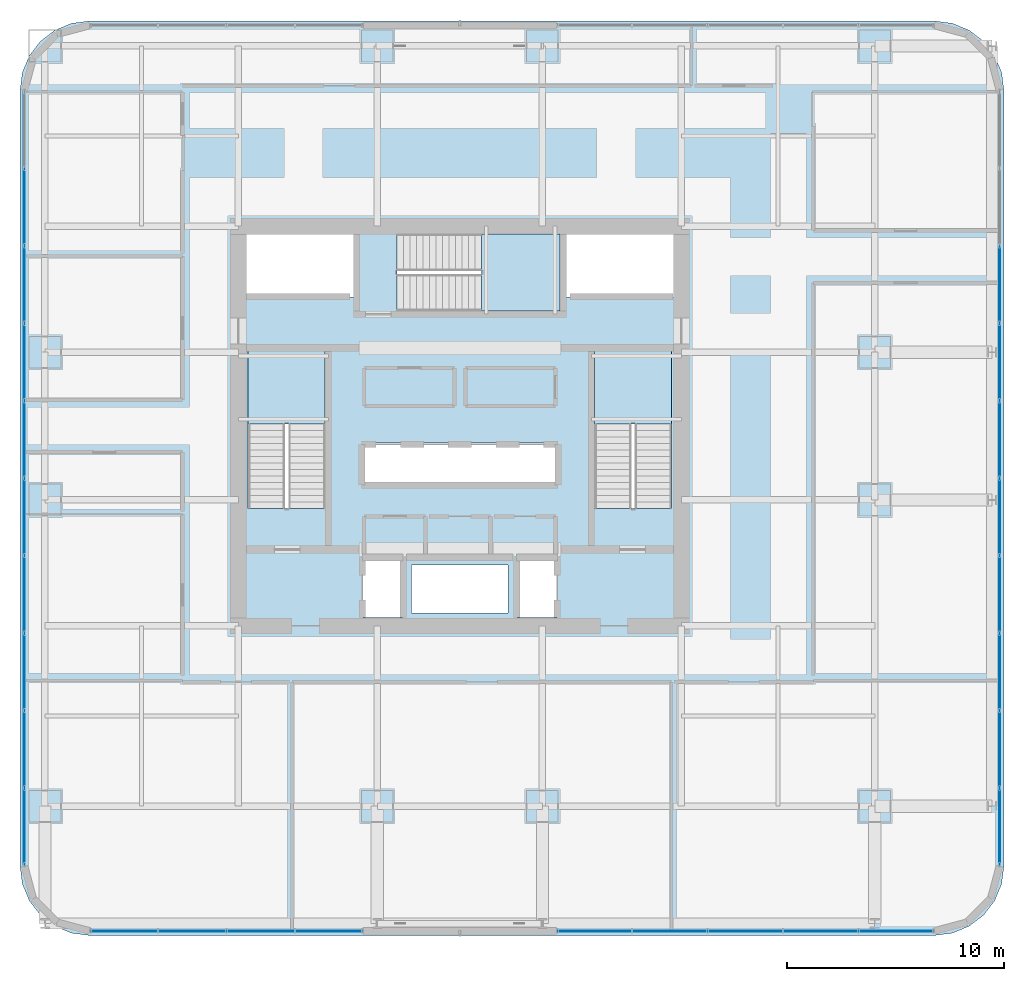
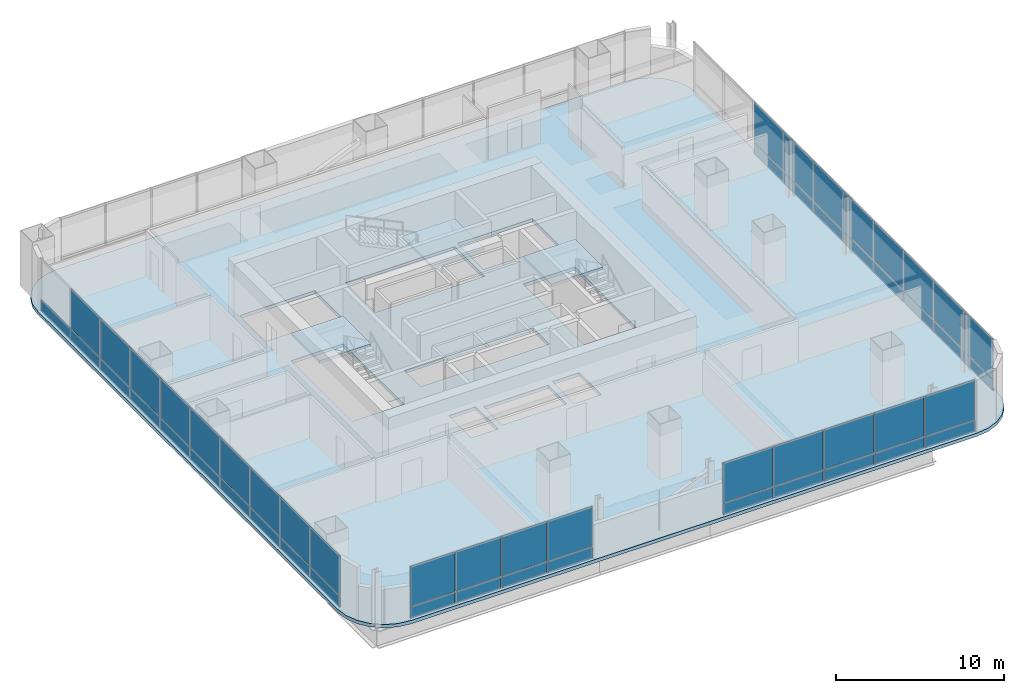
# One storey, part 25 of 40: 53 plates, 4 slabs, 7 elements without a shape of their own.
"""IFC4 building model written with IfcOpenShell, lengths in metres."""

from ifc_helpers import new_model, si_unit, direction, frame, origin, origin_2d, place, context, subcontext, project, spatial, polyline, rectangle, outline, extrude, material, layer, layer_set, type_object, element, aggregate, save


model = new_model("IFC4")

# Units and contexts
model_context = context("Model", 3, precision=1e-05, world=origin(), true_north=direction((0.0, 1.0)))
body_context = subcontext(model_context, "Body", "Model", "MODEL_VIEW")
ifc_project = project(units=[si_unit("LENGTHUNIT", "METRE"), si_unit("AREAUNIT", "SQUARE_METRE"), si_unit("VOLUMEUNIT", "CUBIC_METRE"), si_unit("PLANEANGLEUNIT", "RADIAN"), si_unit("MASSUNIT", "GRAM", prefix="KILO")], contexts=[model_context])

# Site, building, storey
site_placement = place(None, origin())
site = spatial("IfcSite", under=ifc_project, at=site_placement, CompositionType="ELEMENT")
building_placement = place(site_placement, origin())
building = spatial("IfcBuilding", under=site, at=building_placement, Name="Punatoya Terracotta Tower", CompositionType="ELEMENT")
storey_placement = place(building_placement, frame((0.0, 0.0, 76.800048828125)))
storey = spatial("IfcBuildingStorey", under=building, at=storey_placement, Name="L17", CompositionType="ELEMENT", Elevation=76.800048828125)

# Curtain wall, plates
ifc_material_1 = material(Name="Aluminium 6063-T6 + Double Low-E Glass", Category="aluminium")
curtain_wall_type = type_object("IfcCurtainWallType", Name="CW-M1", PredefinedType="NOTDEFINED", material=ifc_material_1)
curtain_wall_1_placement = place(storey_placement, origin())
curtain_wall_1 = element("IfcCurtainWall", 1, at=curtain_wall_1_placement, inside=storey, type_object=curtain_wall_type, Name="L17 Curtain Wall CW-L17-S01-1", PredefinedType="NOTDEFINED")
ifc_material_2 = material(Name="Double Low-E Clear Vision Glass", Category="glass")
ifc_layer_1 = layer(ifc_material_2, 0.028076171875)
ifc_layer_set_1 = layer_set([ifc_layer_1], Name="Double Low-E Clear Vision Glass")
plate_type_1 = type_object("IfcPlateType", Name="PLT-GLZ-28", PredefinedType="CURTAIN_PANEL", material=ifc_layer_set_1)
plate_1_placement = place(storey_placement, frame((-15.46337890625, -23.25, 0.889892578125), z_axis=(0.0, 0.0, 1.0), x_axis=(1.0, 0.0, 0.0)))
plate_1 = element("IfcPlate", 2, at=plate_1_placement, type_object=plate_type_1, Name="CW-L17-S01-1 Vision Glass Panel 1", PredefinedType="CURTAIN_PANEL", context=body_context, shape_type="SweptSolid", body=[
    extrude(rectangle(XDim=3.061767578125, YDim=0.028076171875, at=origin_2d()), origin(), (0.0, 0.0, 1.0), 2.8798828125),
])
plate_2_placement = place(storey_placement, frame((-12.31689453125, -23.25, 0.889892578125), z_axis=(0.0, 0.0, 1.0), x_axis=(1.0, 0.0, 0.0)))
plate_2 = element("IfcPlate", 3, at=plate_2_placement, type_object=plate_type_1, Name="CW-L17-S01-1 Vision Glass Panel 2", PredefinedType="CURTAIN_PANEL", context=body_context, shape_type="SweptSolid", body=[
    extrude(rectangle(XDim=3.061767578125, YDim=0.028076171875, at=origin_2d()), origin(), (0.0, 0.0, 1.0), 2.8798828125),
])
plate_3_placement = place(storey_placement, frame((-9.170166015625, -23.25, 0.889892578125), z_axis=(0.0, 0.0, 1.0), x_axis=(1.0, 0.0, 0.0)))
plate_3 = element("IfcPlate", 4, at=plate_3_placement, type_object=plate_type_1, Name="CW-L17-S01-1 Vision Glass Panel 3", PredefinedType="CURTAIN_PANEL", context=body_context, shape_type="SweptSolid", body=[
    extrude(rectangle(XDim=3.061767578125, YDim=0.028076171875, at=origin_2d()), origin(), (0.0, 0.0, 1.0), 2.8798828125),
])
plate_4_placement = place(storey_placement, frame((-6.0234375, -23.25, 0.889892578125), z_axis=(0.0, 0.0, 1.0), x_axis=(1.0, 0.0, 0.0)))
plate_4 = element("IfcPlate", 5, at=plate_4_placement, type_object=plate_type_1, Name="CW-L17-S01-1 Vision Glass Panel 4", PredefinedType="CURTAIN_PANEL", context=body_context, shape_type="SweptSolid", body=[
    extrude(rectangle(XDim=3.061767578125, YDim=0.028076171875, at=origin_2d()), origin(), (0.0, 0.0, 1.0), 2.8798828125),
])

curtain_wall_2_placement = place(storey_placement, origin())
curtain_wall_2 = element("IfcCurtainWall", 6, at=curtain_wall_2_placement, inside=storey, type_object=curtain_wall_type, Name="L17 Curtain Wall CW-L17-S01-2", PredefinedType="NOTDEFINED")
plate_5_placement = place(storey_placement, frame((6.188720703125, -23.25, 0.889892578125), z_axis=(0.0, 0.0, 1.0), x_axis=(1.0, 0.0, 0.0)))
plate_5 = element("IfcPlate", 7, at=plate_5_placement, type_object=plate_type_1, Name="CW-L17-S01-2 Vision Glass Panel 1", PredefinedType="CURTAIN_PANEL", context=body_context, shape_type="SweptSolid", body=[
    extrude(rectangle(XDim=3.392333984375, YDim=0.028076171875, at=origin_2d()), origin(), (0.0, 0.0, 1.0), 2.8798828125),
])
plate_6_placement = place(storey_placement, frame((9.666015625, -23.25, 0.889892578125), z_axis=(0.0, 0.0, 1.0), x_axis=(1.0, 0.0, 0.0)))
plate_6 = element("IfcPlate", 8, at=plate_6_placement, type_object=plate_type_1, Name="CW-L17-S01-2 Vision Glass Panel 2", PredefinedType="CURTAIN_PANEL", context=body_context, shape_type="SweptSolid", body=[
    extrude(rectangle(XDim=3.392333984375, YDim=0.028076171875, at=origin_2d()), origin(), (0.0, 0.0, 1.0), 2.8798828125),
])
plate_7_placement = place(storey_placement, frame((13.1435546875, -23.25, 0.889892578125), z_axis=(0.0, 0.0, 1.0), x_axis=(1.0, 0.0, 0.0)))
plate_7 = element("IfcPlate", 9, at=plate_7_placement, type_object=plate_type_1, Name="CW-L17-S01-2 Vision Glass Panel 3", PredefinedType="CURTAIN_PANEL", context=body_context, shape_type="SweptSolid", body=[
    extrude(rectangle(XDim=3.392333984375, YDim=0.028076171875, at=origin_2d()), origin(), (0.0, 0.0, 1.0), 2.8798828125),
])
plate_8_placement = place(storey_placement, frame((16.620849609375, -23.25, 0.889892578125), z_axis=(0.0, 0.0, 1.0), x_axis=(1.0, 0.0, 0.0)))
plate_8 = element("IfcPlate", 10, at=plate_8_placement, type_object=plate_type_1, Name="CW-L17-S01-2 Vision Glass Panel 4", PredefinedType="CURTAIN_PANEL", context=body_context, shape_type="SweptSolid", body=[
    extrude(rectangle(XDim=3.392333984375, YDim=0.028076171875, at=origin_2d()), origin(), (0.0, 0.0, 1.0), 2.8798828125),
])
plate_9_placement = place(storey_placement, frame((20.09814453125, -23.25, 0.889892578125), z_axis=(0.0, 0.0, 1.0), x_axis=(1.0, 0.0, 0.0)))
plate_9 = element("IfcPlate", 11, at=plate_9_placement, type_object=plate_type_1, Name="CW-L17-S01-2 Vision Glass Panel 5", PredefinedType="CURTAIN_PANEL", context=body_context, shape_type="SweptSolid", body=[
    extrude(rectangle(XDim=3.392333984375, YDim=0.028076171875, at=origin_2d()), origin(), (0.0, 0.0, 1.0), 2.8798828125),
])

curtain_wall_3_placement = place(storey_placement, origin())
curtain_wall_3 = element("IfcCurtainWall", 12, at=curtain_wall_3_placement, inside=storey, type_object=curtain_wall_type, Name="L17 Curtain Wall CW-L17-E05-1", PredefinedType="NOTDEFINED")
plate_10_placement = place(storey_placement, frame((24.85009765625, -18.453125, 0.889892578125), z_axis=(0.0, 0.0, 1.0), x_axis=(0.0, 1.0, 0.0)))
plate_10 = element("IfcPlate", 13, at=plate_10_placement, type_object=plate_type_1, Name="CW-L17-E05-1 Vision Glass Panel 1", PredefinedType="CURTAIN_PANEL", context=body_context, shape_type="SweptSolid", body=[
    extrude(rectangle(XDim=3.482421875, YDim=0.028076171875, at=origin_2d()), origin(), (0.0, 0.0, 1.0), 2.8798828125),
])
plate_11_placement = place(storey_placement, frame((24.85009765625, -14.8857421875, 0.889892578125), z_axis=(0.0, 0.0, 1.0), x_axis=(0.0, 1.0, 0.0)))
plate_11 = element("IfcPlate", 14, at=plate_11_placement, type_object=plate_type_1, Name="CW-L17-E05-1 Vision Glass Panel 2", PredefinedType="CURTAIN_PANEL", context=body_context, shape_type="SweptSolid", body=[
    extrude(rectangle(XDim=3.482421875, YDim=0.028076171875, at=origin_2d()), origin(), (0.0, 0.0, 1.0), 2.8798828125),
])
plate_12_placement = place(storey_placement, frame((24.85009765625, -11.318359375, 0.889892578125), z_axis=(0.0, 0.0, 1.0), x_axis=(0.0, 1.0, 0.0)))
plate_12 = element("IfcPlate", 15, at=plate_12_placement, type_object=plate_type_1, Name="CW-L17-E05-1 Vision Glass Panel 3", PredefinedType="CURTAIN_PANEL", context=body_context, shape_type="SweptSolid", body=[
    extrude(rectangle(XDim=3.482421875, YDim=0.028076171875, at=origin_2d()), origin(), (0.0, 0.0, 1.0), 2.8798828125),
])
plate_13_placement = place(storey_placement, frame((24.85009765625, -7.751220703125, 0.889892578125), z_axis=(0.0, 0.0, 1.0), x_axis=(0.0, 1.0, 0.0)))
plate_13 = element("IfcPlate", 16, at=plate_13_placement, type_object=plate_type_1, Name="CW-L17-E05-1 Vision Glass Panel 4", PredefinedType="CURTAIN_PANEL", context=body_context, shape_type="SweptSolid", body=[
    extrude(rectangle(XDim=3.482421875, YDim=0.028076171875, at=origin_2d()), origin(), (0.0, 0.0, 1.0), 2.8798828125),
])
plate_14_placement = place(storey_placement, frame((24.85009765625, -4.18359375, 0.889892578125), z_axis=(0.0, 0.0, 1.0), x_axis=(0.0, 1.0, 0.0)))
plate_14 = element("IfcPlate", 17, at=plate_14_placement, type_object=plate_type_1, Name="CW-L17-E05-1 Vision Glass Panel 5", PredefinedType="CURTAIN_PANEL", context=body_context, shape_type="SweptSolid", body=[
    extrude(rectangle(XDim=3.482421875, YDim=0.028076171875, at=origin_2d()), origin(), (0.0, 0.0, 1.0), 2.8798828125),
])
plate_15_placement = place(storey_placement, frame((24.85009765625, -0.6162109375, 0.889892578125), z_axis=(0.0, 0.0, 1.0), x_axis=(0.0, 1.0, 0.0)))
plate_15 = element("IfcPlate", 18, at=plate_15_placement, type_object=plate_type_1, Name="CW-L17-E05-1 Vision Glass Panel 6", PredefinedType="CURTAIN_PANEL", context=body_context, shape_type="SweptSolid", body=[
    extrude(rectangle(XDim=3.482421875, YDim=0.028076171875, at=origin_2d()), origin(), (0.0, 0.0, 1.0), 2.8798828125),
])
plate_16_placement = place(storey_placement, frame((24.85009765625, 2.951171875, 0.889892578125), z_axis=(0.0, 0.0, 1.0), x_axis=(0.0, 1.0, 0.0)))
plate_16 = element("IfcPlate", 19, at=plate_16_placement, type_object=plate_type_1, Name="CW-L17-E05-1 Vision Glass Panel 7", PredefinedType="CURTAIN_PANEL", context=body_context, shape_type="SweptSolid", body=[
    extrude(rectangle(XDim=3.482421875, YDim=0.028076171875, at=origin_2d()), origin(), (0.0, 0.0, 1.0), 2.8798828125),
])
plate_17_placement = place(storey_placement, frame((24.85009765625, 6.518310546875, 0.889892578125), z_axis=(0.0, 0.0, 1.0), x_axis=(0.0, 1.0, 0.0)))
plate_17 = element("IfcPlate", 20, at=plate_17_placement, type_object=plate_type_1, Name="CW-L17-E05-1 Vision Glass Panel 8", PredefinedType="CURTAIN_PANEL", context=body_context, shape_type="SweptSolid", body=[
    extrude(rectangle(XDim=3.482421875, YDim=0.028076171875, at=origin_2d()), origin(), (0.0, 0.0, 1.0), 2.8798828125),
])

curtain_wall_4_placement = place(storey_placement, origin())
curtain_wall_4 = element("IfcCurtainWall", 21, at=curtain_wall_4_placement, inside=storey, type_object=curtain_wall_type, Name="L17 Curtain Wall CW-L17-W13-1", PredefinedType="NOTDEFINED")
plate_18_placement = place(storey_placement, frame((-20.050048828125, 10.085693359375, 0.889892578125), z_axis=(0.0, 0.0, 1.0), x_axis=(0.0, -1.0, 0.0)))
plate_18 = element("IfcPlate", 22, at=plate_18_placement, type_object=plate_type_1, Name="CW-L17-W13-1 Vision Glass Panel 2", PredefinedType="CURTAIN_PANEL", context=body_context, shape_type="SweptSolid", body=[
    extrude(rectangle(XDim=3.482421875, YDim=0.028076171875, at=origin_2d()), origin(), (0.0, 0.0, 1.0), 2.8798828125),
])
plate_19_placement = place(storey_placement, frame((-20.050048828125, 6.518310546875, 0.889892578125), z_axis=(0.0, 0.0, 1.0), x_axis=(0.0, -1.0, 0.0)))
plate_19 = element("IfcPlate", 23, at=plate_19_placement, type_object=plate_type_1, Name="CW-L17-W13-1 Vision Glass Panel 3", PredefinedType="CURTAIN_PANEL", context=body_context, shape_type="SweptSolid", body=[
    extrude(rectangle(XDim=3.482421875, YDim=0.028076171875, at=origin_2d()), origin(), (0.0, 0.0, 1.0), 2.8798828125),
])
plate_20_placement = place(storey_placement, frame((-20.050048828125, 2.951171875, 0.889892578125), z_axis=(0.0, 0.0, 1.0), x_axis=(0.0, -1.0, 0.0)))
plate_20 = element("IfcPlate", 24, at=plate_20_placement, type_object=plate_type_1, Name="CW-L17-W13-1 Vision Glass Panel 4", PredefinedType="CURTAIN_PANEL", context=body_context, shape_type="SweptSolid", body=[
    extrude(rectangle(XDim=3.482421875, YDim=0.028076171875, at=origin_2d()), origin(), (0.0, 0.0, 1.0), 2.8798828125),
])
plate_21_placement = place(storey_placement, frame((-20.050048828125, -0.6162109375, 0.889892578125), z_axis=(0.0, 0.0, 1.0), x_axis=(0.0, -1.0, 0.0)))
plate_21 = element("IfcPlate", 25, at=plate_21_placement, type_object=plate_type_1, Name="CW-L17-W13-1 Vision Glass Panel 5", PredefinedType="CURTAIN_PANEL", context=body_context, shape_type="SweptSolid", body=[
    extrude(rectangle(XDim=3.482421875, YDim=0.028076171875, at=origin_2d()), origin(), (0.0, 0.0, 1.0), 2.8798828125),
])
plate_22_placement = place(storey_placement, frame((-20.050048828125, -4.18359375, 0.889892578125), z_axis=(0.0, 0.0, 1.0), x_axis=(0.0, -1.0, 0.0)))
plate_22 = element("IfcPlate", 26, at=plate_22_placement, type_object=plate_type_1, Name="CW-L17-W13-1 Vision Glass Panel 6", PredefinedType="CURTAIN_PANEL", context=body_context, shape_type="SweptSolid", body=[
    extrude(rectangle(XDim=3.482421875, YDim=0.028076171875, at=origin_2d()), origin(), (0.0, 0.0, 1.0), 2.8798828125),
])
plate_23_placement = place(storey_placement, frame((-20.050048828125, -7.751220703125, 0.889892578125), z_axis=(0.0, 0.0, 1.0), x_axis=(0.0, -1.0, 0.0)))
plate_23 = element("IfcPlate", 27, at=plate_23_placement, type_object=plate_type_1, Name="CW-L17-W13-1 Vision Glass Panel 7", PredefinedType="CURTAIN_PANEL", context=body_context, shape_type="SweptSolid", body=[
    extrude(rectangle(XDim=3.482421875, YDim=0.028076171875, at=origin_2d()), origin(), (0.0, 0.0, 1.0), 2.8798828125),
])
plate_24_placement = place(storey_placement, frame((-20.050048828125, -11.318359375, 0.889892578125), z_axis=(0.0, 0.0, 1.0), x_axis=(0.0, -1.0, 0.0)))
plate_24 = element("IfcPlate", 28, at=plate_24_placement, type_object=plate_type_1, Name="CW-L17-W13-1 Vision Glass Panel 8", PredefinedType="CURTAIN_PANEL", context=body_context, shape_type="SweptSolid", body=[
    extrude(rectangle(XDim=3.482421875, YDim=0.028076171875, at=origin_2d()), origin(), (0.0, 0.0, 1.0), 2.8798828125),
])
plate_25_placement = place(storey_placement, frame((-20.050048828125, -14.8857421875, 0.889892578125), z_axis=(0.0, 0.0, 1.0), x_axis=(0.0, -1.0, 0.0)))
plate_25 = element("IfcPlate", 29, at=plate_25_placement, type_object=plate_type_1, Name="CW-L17-W13-1 Vision Glass Panel 9", PredefinedType="CURTAIN_PANEL", context=body_context, shape_type="SweptSolid", body=[
    extrude(rectangle(XDim=3.482421875, YDim=0.028076171875, at=origin_2d()), origin(), (0.0, 0.0, 1.0), 2.8798828125),
])
plate_26_placement = place(storey_placement, frame((-20.050048828125, -18.453125, 0.889892578125), z_axis=(0.0, 0.0, 1.0), x_axis=(0.0, -1.0, 0.0)))
plate_26 = element("IfcPlate", 30, at=plate_26_placement, type_object=plate_type_1, Name="CW-L17-W13-1 Vision Glass Panel 10", PredefinedType="CURTAIN_PANEL", context=body_context, shape_type="SweptSolid", body=[
    extrude(rectangle(XDim=3.482421875, YDim=0.028076171875, at=origin_2d()), origin(), (0.0, 0.0, 1.0), 2.8798828125),
])

# Plate
ifc_material_3 = material(Name="Insulated Terracotta-Backed Spandrel Panel", Category="masonry")
ifc_layer_2 = layer(ifc_material_3, 0.044921875)
ifc_layer_set_2 = layer_set([ifc_layer_2], Name="Insulated Terracotta-Backed Spandrel Panel")
plate_type_2 = type_object("IfcPlateType", Name="PLT-SPN-45", PredefinedType="CURTAIN_PANEL", material=ifc_layer_set_2)
plate_27_placement = place(storey_placement, frame((-15.46337890625, -23.25, 0.0400390625), z_axis=(0.0, 0.0, 1.0), x_axis=(1.0, 0.0, 0.0)))
plate_27 = element("IfcPlate", 31, at=plate_27_placement, type_object=plate_type_2, Name="CW-L17-S01-1 Terracotta Spandrel Panel 1", PredefinedType="CURTAIN_PANEL", context=body_context, shape_type="SweptSolid", body=[
    extrude(rectangle(XDim=3.061767578125, YDim=0.044921875, at=origin_2d()), origin(), (0.0, 0.0, 1.0), 0.77490234375),
])

plate_28_placement = place(storey_placement, frame((-12.31689453125, -23.25, 0.0400390625), z_axis=(0.0, 0.0, 1.0), x_axis=(1.0, 0.0, 0.0)))
plate_28 = element("IfcPlate", 32, at=plate_28_placement, type_object=plate_type_2, Name="CW-L17-S01-1 Terracotta Spandrel Panel 2", PredefinedType="CURTAIN_PANEL", context=body_context, shape_type="SweptSolid", body=[
    extrude(rectangle(XDim=3.061767578125, YDim=0.044921875, at=origin_2d()), origin(), (0.0, 0.0, 1.0), 0.77490234375),
])

plate_29_placement = place(storey_placement, frame((-9.170166015625, -23.25, 0.0400390625), z_axis=(0.0, 0.0, 1.0), x_axis=(1.0, 0.0, 0.0)))
plate_29 = element("IfcPlate", 33, at=plate_29_placement, type_object=plate_type_2, Name="CW-L17-S01-1 Terracotta Spandrel Panel 3", PredefinedType="CURTAIN_PANEL", context=body_context, shape_type="SweptSolid", body=[
    extrude(rectangle(XDim=3.061767578125, YDim=0.044921875, at=origin_2d()), origin(), (0.0, 0.0, 1.0), 0.77490234375),
])

plate_30_placement = place(storey_placement, frame((-6.0234375, -23.25, 0.0400390625), z_axis=(0.0, 0.0, 1.0), x_axis=(1.0, 0.0, 0.0)))
plate_30 = element("IfcPlate", 34, at=plate_30_placement, type_object=plate_type_2, Name="CW-L17-S01-1 Terracotta Spandrel Panel 4", PredefinedType="CURTAIN_PANEL", context=body_context, shape_type="SweptSolid", body=[
    extrude(rectangle(XDim=3.061767578125, YDim=0.044921875, at=origin_2d()), origin(), (0.0, 0.0, 1.0), 0.77490234375),
])

aggregate(curtain_wall_1, [plate_27, plate_1, plate_28, plate_2, plate_29, plate_3, plate_30, plate_4])

plate_31_placement = place(storey_placement, frame((6.188720703125, -23.25, 0.0400390625), z_axis=(0.0, 0.0, 1.0), x_axis=(1.0, 0.0, 0.0)))
plate_31 = element("IfcPlate", 35, at=plate_31_placement, type_object=plate_type_2, Name="CW-L17-S01-2 Terracotta Spandrel Panel 1", PredefinedType="CURTAIN_PANEL", context=body_context, shape_type="SweptSolid", body=[
    extrude(rectangle(XDim=3.392333984375, YDim=0.044921875, at=origin_2d()), origin(), (0.0, 0.0, 1.0), 0.77490234375),
])

plate_32_placement = place(storey_placement, frame((9.666015625, -23.25, 0.0400390625), z_axis=(0.0, 0.0, 1.0), x_axis=(1.0, 0.0, 0.0)))
plate_32 = element("IfcPlate", 36, at=plate_32_placement, type_object=plate_type_2, Name="CW-L17-S01-2 Terracotta Spandrel Panel 2", PredefinedType="CURTAIN_PANEL", context=body_context, shape_type="SweptSolid", body=[
    extrude(rectangle(XDim=3.392333984375, YDim=0.044921875, at=origin_2d()), origin(), (0.0, 0.0, 1.0), 0.77490234375),
])

plate_33_placement = place(storey_placement, frame((13.1435546875, -23.25, 0.0400390625), z_axis=(0.0, 0.0, 1.0), x_axis=(1.0, 0.0, 0.0)))
plate_33 = element("IfcPlate", 37, at=plate_33_placement, type_object=plate_type_2, Name="CW-L17-S01-2 Terracotta Spandrel Panel 3", PredefinedType="CURTAIN_PANEL", context=body_context, shape_type="SweptSolid", body=[
    extrude(rectangle(XDim=3.392333984375, YDim=0.044921875, at=origin_2d()), origin(), (0.0, 0.0, 1.0), 0.77490234375),
])

plate_34_placement = place(storey_placement, frame((16.620849609375, -23.25, 0.0400390625), z_axis=(0.0, 0.0, 1.0), x_axis=(1.0, 0.0, 0.0)))
plate_34 = element("IfcPlate", 38, at=plate_34_placement, type_object=plate_type_2, Name="CW-L17-S01-2 Terracotta Spandrel Panel 4", PredefinedType="CURTAIN_PANEL", context=body_context, shape_type="SweptSolid", body=[
    extrude(rectangle(XDim=3.392333984375, YDim=0.044921875, at=origin_2d()), origin(), (0.0, 0.0, 1.0), 0.77490234375),
])

plate_35_placement = place(storey_placement, frame((20.09814453125, -23.25, 0.0400390625), z_axis=(0.0, 0.0, 1.0), x_axis=(1.0, 0.0, 0.0)))
plate_35 = element("IfcPlate", 39, at=plate_35_placement, type_object=plate_type_2, Name="CW-L17-S01-2 Terracotta Spandrel Panel 5", PredefinedType="CURTAIN_PANEL", context=body_context, shape_type="SweptSolid", body=[
    extrude(rectangle(XDim=3.392333984375, YDim=0.044921875, at=origin_2d()), origin(), (0.0, 0.0, 1.0), 0.77490234375),
])

aggregate(curtain_wall_2, [plate_31, plate_5, plate_32, plate_6, plate_33, plate_7, plate_34, plate_8, plate_35, plate_9])

plate_36_placement = place(storey_placement, frame((24.85009765625, -18.453125, 0.0400390625), z_axis=(0.0, 0.0, 1.0), x_axis=(0.0, 1.0, 0.0)))
plate_36 = element("IfcPlate", 40, at=plate_36_placement, type_object=plate_type_2, Name="CW-L17-E05-1 Terracotta Spandrel Panel 1", PredefinedType="CURTAIN_PANEL", context=body_context, shape_type="SweptSolid", body=[
    extrude(rectangle(XDim=3.482421875, YDim=0.044921875, at=origin_2d()), origin(), (0.0, 0.0, 1.0), 0.77490234375),
])

plate_37_placement = place(storey_placement, frame((24.85009765625, -14.8857421875, 0.0400390625), z_axis=(0.0, 0.0, 1.0), x_axis=(0.0, 1.0, 0.0)))
plate_37 = element("IfcPlate", 41, at=plate_37_placement, type_object=plate_type_2, Name="CW-L17-E05-1 Terracotta Spandrel Panel 2", PredefinedType="CURTAIN_PANEL", context=body_context, shape_type="SweptSolid", body=[
    extrude(rectangle(XDim=3.482421875, YDim=0.044921875, at=origin_2d()), origin(), (0.0, 0.0, 1.0), 0.77490234375),
])

plate_38_placement = place(storey_placement, frame((24.85009765625, -11.318359375, 0.0400390625), z_axis=(0.0, 0.0, 1.0), x_axis=(0.0, 1.0, 0.0)))
plate_38 = element("IfcPlate", 42, at=plate_38_placement, type_object=plate_type_2, Name="CW-L17-E05-1 Terracotta Spandrel Panel 3", PredefinedType="CURTAIN_PANEL", context=body_context, shape_type="SweptSolid", body=[
    extrude(rectangle(XDim=3.482421875, YDim=0.044921875, at=origin_2d()), origin(), (0.0, 0.0, 1.0), 0.77490234375),
])

plate_39_placement = place(storey_placement, frame((24.85009765625, -7.751220703125, 0.0400390625), z_axis=(0.0, 0.0, 1.0), x_axis=(0.0, 1.0, 0.0)))
plate_39 = element("IfcPlate", 43, at=plate_39_placement, type_object=plate_type_2, Name="CW-L17-E05-1 Terracotta Spandrel Panel 4", PredefinedType="CURTAIN_PANEL", context=body_context, shape_type="SweptSolid", body=[
    extrude(rectangle(XDim=3.482421875, YDim=0.044921875, at=origin_2d()), origin(), (0.0, 0.0, 1.0), 0.77490234375),
])

plate_40_placement = place(storey_placement, frame((24.85009765625, -4.18359375, 0.0400390625), z_axis=(0.0, 0.0, 1.0), x_axis=(0.0, 1.0, 0.0)))
plate_40 = element("IfcPlate", 44, at=plate_40_placement, type_object=plate_type_2, Name="CW-L17-E05-1 Terracotta Spandrel Panel 5", PredefinedType="CURTAIN_PANEL", context=body_context, shape_type="SweptSolid", body=[
    extrude(rectangle(XDim=3.482421875, YDim=0.044921875, at=origin_2d()), origin(), (0.0, 0.0, 1.0), 0.77490234375),
])

plate_41_placement = place(storey_placement, frame((24.85009765625, -0.6162109375, 0.0400390625), z_axis=(0.0, 0.0, 1.0), x_axis=(0.0, 1.0, 0.0)))
plate_41 = element("IfcPlate", 45, at=plate_41_placement, type_object=plate_type_2, Name="CW-L17-E05-1 Terracotta Spandrel Panel 6", PredefinedType="CURTAIN_PANEL", context=body_context, shape_type="SweptSolid", body=[
    extrude(rectangle(XDim=3.482421875, YDim=0.044921875, at=origin_2d()), origin(), (0.0, 0.0, 1.0), 0.77490234375),
])

plate_42_placement = place(storey_placement, frame((24.85009765625, 2.951171875, 0.0400390625), z_axis=(0.0, 0.0, 1.0), x_axis=(0.0, 1.0, 0.0)))
plate_42 = element("IfcPlate", 46, at=plate_42_placement, type_object=plate_type_2, Name="CW-L17-E05-1 Terracotta Spandrel Panel 7", PredefinedType="CURTAIN_PANEL", context=body_context, shape_type="SweptSolid", body=[
    extrude(rectangle(XDim=3.482421875, YDim=0.044921875, at=origin_2d()), origin(), (0.0, 0.0, 1.0), 0.77490234375),
])

plate_43_placement = place(storey_placement, frame((24.85009765625, 6.518310546875, 0.0400390625), z_axis=(0.0, 0.0, 1.0), x_axis=(0.0, 1.0, 0.0)))
plate_43 = element("IfcPlate", 47, at=plate_43_placement, type_object=plate_type_2, Name="CW-L17-E05-1 Terracotta Spandrel Panel 8", PredefinedType="CURTAIN_PANEL", context=body_context, shape_type="SweptSolid", body=[
    extrude(rectangle(XDim=3.482421875, YDim=0.044921875, at=origin_2d()), origin(), (0.0, 0.0, 1.0), 0.77490234375),
])

aggregate(curtain_wall_3, [plate_36, plate_10, plate_37, plate_11, plate_38, plate_12, plate_39, plate_13, plate_40, plate_14, plate_41, plate_15, plate_42, plate_16, plate_43, plate_17])

plate_44_placement = place(storey_placement, frame((-20.050048828125, 13.6533203125, 0.0400390625), z_axis=(0.0, 0.0, 1.0), x_axis=(0.0, -1.0, 0.0)))
plate_44 = element("IfcPlate", 48, at=plate_44_placement, type_object=plate_type_2, Name="CW-L17-W13-1 Terracotta Spandrel Panel 1", PredefinedType="CURTAIN_PANEL", context=body_context, shape_type="SweptSolid", body=[
    extrude(rectangle(XDim=3.482421875, YDim=0.044921875, at=origin_2d()), origin(), (0.0, 0.0, 1.0), 0.77490234375),
])

plate_45_placement = place(storey_placement, frame((-20.050048828125, 10.085693359375, 0.0400390625), z_axis=(0.0, 0.0, 1.0), x_axis=(0.0, -1.0, 0.0)))
plate_45 = element("IfcPlate", 49, at=plate_45_placement, type_object=plate_type_2, Name="CW-L17-W13-1 Terracotta Spandrel Panel 2", PredefinedType="CURTAIN_PANEL", context=body_context, shape_type="SweptSolid", body=[
    extrude(rectangle(XDim=3.482421875, YDim=0.044921875, at=origin_2d()), origin(), (0.0, 0.0, 1.0), 0.77490234375),
])

plate_46_placement = place(storey_placement, frame((-20.050048828125, 6.518310546875, 0.0400390625), z_axis=(0.0, 0.0, 1.0), x_axis=(0.0, -1.0, 0.0)))
plate_46 = element("IfcPlate", 50, at=plate_46_placement, type_object=plate_type_2, Name="CW-L17-W13-1 Terracotta Spandrel Panel 3", PredefinedType="CURTAIN_PANEL", context=body_context, shape_type="SweptSolid", body=[
    extrude(rectangle(XDim=3.482421875, YDim=0.044921875, at=origin_2d()), origin(), (0.0, 0.0, 1.0), 0.77490234375),
])

plate_47_placement = place(storey_placement, frame((-20.050048828125, 2.951171875, 0.0400390625), z_axis=(0.0, 0.0, 1.0), x_axis=(0.0, -1.0, 0.0)))
plate_47 = element("IfcPlate", 51, at=plate_47_placement, type_object=plate_type_2, Name="CW-L17-W13-1 Terracotta Spandrel Panel 4", PredefinedType="CURTAIN_PANEL", context=body_context, shape_type="SweptSolid", body=[
    extrude(rectangle(XDim=3.482421875, YDim=0.044921875, at=origin_2d()), origin(), (0.0, 0.0, 1.0), 0.77490234375),
])

plate_48_placement = place(storey_placement, frame((-20.050048828125, -0.6162109375, 0.0400390625), z_axis=(0.0, 0.0, 1.0), x_axis=(0.0, -1.0, 0.0)))
plate_48 = element("IfcPlate", 52, at=plate_48_placement, type_object=plate_type_2, Name="CW-L17-W13-1 Terracotta Spandrel Panel 5", PredefinedType="CURTAIN_PANEL", context=body_context, shape_type="SweptSolid", body=[
    extrude(rectangle(XDim=3.482421875, YDim=0.044921875, at=origin_2d()), origin(), (0.0, 0.0, 1.0), 0.77490234375),
])

plate_49_placement = place(storey_placement, frame((-20.050048828125, -4.18359375, 0.0400390625), z_axis=(0.0, 0.0, 1.0), x_axis=(0.0, -1.0, 0.0)))
plate_49 = element("IfcPlate", 53, at=plate_49_placement, type_object=plate_type_2, Name="CW-L17-W13-1 Terracotta Spandrel Panel 6", PredefinedType="CURTAIN_PANEL", context=body_context, shape_type="SweptSolid", body=[
    extrude(rectangle(XDim=3.482421875, YDim=0.044921875, at=origin_2d()), origin(), (0.0, 0.0, 1.0), 0.77490234375),
])

plate_50_placement = place(storey_placement, frame((-20.050048828125, -7.751220703125, 0.0400390625), z_axis=(0.0, 0.0, 1.0), x_axis=(0.0, -1.0, 0.0)))
plate_50 = element("IfcPlate", 54, at=plate_50_placement, type_object=plate_type_2, Name="CW-L17-W13-1 Terracotta Spandrel Panel 7", PredefinedType="CURTAIN_PANEL", context=body_context, shape_type="SweptSolid", body=[
    extrude(rectangle(XDim=3.482421875, YDim=0.044921875, at=origin_2d()), origin(), (0.0, 0.0, 1.0), 0.77490234375),
])

plate_51_placement = place(storey_placement, frame((-20.050048828125, -11.318359375, 0.0400390625), z_axis=(0.0, 0.0, 1.0), x_axis=(0.0, -1.0, 0.0)))
plate_51 = element("IfcPlate", 55, at=plate_51_placement, type_object=plate_type_2, Name="CW-L17-W13-1 Terracotta Spandrel Panel 8", PredefinedType="CURTAIN_PANEL", context=body_context, shape_type="SweptSolid", body=[
    extrude(rectangle(XDim=3.482421875, YDim=0.044921875, at=origin_2d()), origin(), (0.0, 0.0, 1.0), 0.77490234375),
])

plate_52_placement = place(storey_placement, frame((-20.050048828125, -14.8857421875, 0.0400390625), z_axis=(0.0, 0.0, 1.0), x_axis=(0.0, -1.0, 0.0)))
plate_52 = element("IfcPlate", 56, at=plate_52_placement, type_object=plate_type_2, Name="CW-L17-W13-1 Terracotta Spandrel Panel 9", PredefinedType="CURTAIN_PANEL", context=body_context, shape_type="SweptSolid", body=[
    extrude(rectangle(XDim=3.482421875, YDim=0.044921875, at=origin_2d()), origin(), (0.0, 0.0, 1.0), 0.77490234375),
])

plate_53_placement = place(storey_placement, frame((-20.050048828125, -18.453125, 0.0400390625), z_axis=(0.0, 0.0, 1.0), x_axis=(0.0, -1.0, 0.0)))
plate_53 = element("IfcPlate", 57, at=plate_53_placement, type_object=plate_type_2, Name="CW-L17-W13-1 Terracotta Spandrel Panel 10", PredefinedType="CURTAIN_PANEL", context=body_context, shape_type="SweptSolid", body=[
    extrude(rectangle(XDim=3.482421875, YDim=0.044921875, at=origin_2d()), origin(), (0.0, 0.0, 1.0), 0.77490234375),
])

aggregate(curtain_wall_4, [plate_44, plate_45, plate_18, plate_46, plate_19, plate_47, plate_20, plate_48, plate_21, plate_49, plate_22, plate_50, plate_23, plate_51, plate_24, plate_52, plate_25, plate_53, plate_26])

# Stair, slab
ifc_material_4 = material(Name="Concrete C40/50", Category="concrete")
stair_type_1 = type_object("IfcStairType", Name="STR-TER-1450", PredefinedType="HALF_TURN_STAIR", material=ifc_material_4)
stair_1_placement = place(storey_placement, origin())
stair_1 = element("IfcStair", 58, at=stair_1_placement, inside=storey, type_object=stair_type_1, Name="L17 Protected Core Exit Stair ST-3", PredefinedType="HALF_TURN_STAIR")
ifc_layer_3 = layer(ifc_material_4, 0.1650390625)
ifc_layer_set_3 = layer_set([ifc_layer_3], Name="Concrete C40/50")
slab_type_1 = type_object("IfcSlabType", Name="SLB-LND-165", PredefinedType="LANDING", material=ifc_layer_set_3)
slab_1_placement = place(storey_placement, frame((0.0, 0.0, 1.824951171875)))
slab_1 = element("IfcSlab", 59, at=slab_1_placement, type_object=slab_type_1, Name="ST-3 landing 1", PredefinedType="LANDING", context=body_context, shape_type="SweptSolid", body=[
    extrude(outline(polyline([(1.0, 5.300048828125), (4.60009765625, 5.300048828125), (4.60009765625, 8.85009765625), (1.0, 8.85009765625), (1.0, 5.300048828125)])), origin(), (0.0, 0.0, 1.0), 0.199951171875),
])
aggregate(stair_1, [slab_1])

stair_type_2 = type_object("IfcStairType", Name="STR-CORE-1550", PredefinedType="HALF_TURN_STAIR", material=ifc_material_4)
stair_2_placement = place(storey_placement, origin())
stair_2 = element("IfcStair", 60, at=stair_2_placement, inside=storey, type_object=stair_type_2, Name="L17 Protected Core Exit Stair ST-1", PredefinedType="HALF_TURN_STAIR")
ifc_layer_4 = layer(ifc_material_4, 0.179931640625)
ifc_layer_set_4 = layer_set([ifc_layer_4], Name="Concrete C40/50")
slab_type_2 = type_object("IfcSlabType", Name="SLB-LND-180", PredefinedType="LANDING", material=ifc_layer_set_4)
slab_2_placement = place(storey_placement, frame((0.0, 0.0, 1.824951171875)))
slab_2 = element("IfcSlab", 61, at=slab_2_placement, type_object=slab_type_2, Name="ST-1 landing 1", PredefinedType="LANDING", context=body_context, shape_type="SweptSolid", body=[
    extrude(outline(polyline([(-6.199951171875, 0.10009765625), (-6.199951171875, 3.449951171875), (-9.75, 3.449951171875), (-9.75, 0.10009765625), (-6.199951171875, 0.10009765625)])), origin(), (0.0, 0.0, 1.0), 0.199951171875),
])
aggregate(stair_2, [slab_2])

stair_type_3 = type_object("IfcStairType", Name="STR-LOB-1650", PredefinedType="HALF_TURN_STAIR", material=ifc_material_4)
stair_3_placement = place(storey_placement, origin())
stair_3 = element("IfcStair", 62, at=stair_3_placement, inside=storey, type_object=stair_type_3, Name="L17 Protected Core Exit Stair ST-2", PredefinedType="HALF_TURN_STAIR")
slab_3_placement = place(storey_placement, frame((0.0, 0.0, 1.824951171875)))
slab_3 = element("IfcSlab", 63, at=slab_3_placement, type_object=slab_type_2, Name="ST-2 landing 1", PredefinedType="LANDING", context=body_context, shape_type="SweptSolid", body=[
    extrude(outline(polyline([(9.75, 0.10009765625), (9.75, 3.449951171875), (6.199951171875, 3.449951171875), (6.199951171875, 0.10009765625), (9.75, 0.10009765625)])), origin(), (0.0, 0.0, 1.0), 0.199951171875),
])
aggregate(stair_3, [slab_3])

# Slab
ifc_layer_5 = layer(ifc_material_4, 0.239990234375)
ifc_layer_set_5 = layer_set([ifc_layer_5], Name="Concrete C40/50")
slab_type_3 = type_object("IfcSlabType", Name="SLB-OFF-240", PredefinedType="FLOOR", material=ifc_layer_set_5)
slab_4_placement = place(storey_placement, frame((0.0, 0.0, -0.239990234375)))
element("IfcSlab", 64, at=slab_4_placement, inside=storey, type_object=slab_type_3, Name="L17 Structural Floor Slab", PredefinedType="FLOOR", context=body_context, shape_type="SweptSolid", body=[
    extrude(outline(polyline([(-17.050048828125, -23.449951171875), (-17.878173828125, -23.341064453125), (-18.64990234375, -23.021240234375), (-19.312744140625, -22.5126953125), (-19.8212890625, -21.85009765625), (-20.14111328125, -21.078125), (-20.25, -20.25), (-20.25, 15.449951171875), (-20.14111328125, 16.2783203125), (-19.8212890625, 17.050048828125), (-19.312744140625, 17.712646484375), (-18.64990234375, 18.22119140625), (-17.878173828125, 18.541015625), (-17.050048828125, 18.64990234375), (21.85009765625, 18.64990234375), (22.67822265625, 18.541015625), (23.449951171875, 18.22119140625), (24.11279296875, 17.712646484375), (24.621337890625, 17.050048828125), (24.94091796875, 16.2783203125), (25.050048828125, 15.449951171875), (25.050048828125, -20.25), (24.94091796875, -21.078125), (24.621337890625, -21.85009765625), (24.11279296875, -22.5126953125), (23.449951171875, -23.021240234375), (22.67822265625, -23.341064453125), (21.85009765625, -23.449951171875), (-17.050048828125, -23.449951171875)]), holes=[polyline([(-2.6298828125, -6.179931640625), (-4.469970703125, -6.179931640625), (-4.469970703125, -8.820068359375), (-2.6298828125, -8.820068359375), (-2.6298828125, -6.179931640625)]), polyline([(0.02001953125, -8.594970703125), (2.219970703125, -8.594970703125), (2.219970703125, -6.405029296875), (0.02001953125, -6.405029296875), (-0.02001953125, -6.405029296875), (-2.219970703125, -6.405029296875), (-2.219970703125, -8.594970703125), (-0.02001953125, -8.594970703125), (0.02001953125, -8.594970703125)]), polyline([(-2.219970703125, -2.719970703125), (-2.179931640625, -2.719970703125), (-0.02001953125, -2.719970703125), (0.02001953125, -2.719970703125), (2.179931640625, -2.719970703125), (2.219970703125, -2.719970703125), (4.419921875, -2.719970703125), (4.419921875, -0.780029296875), (2.219970703125, -0.780029296875), (2.179931640625, -0.780029296875), (0.02001953125, -0.780029296875), (-0.02001953125, -0.780029296875), (-2.179931640625, -0.780029296875), (-2.219970703125, -0.780029296875), (-4.419921875, -0.780029296875), (-4.419921875, -2.719970703125), (-2.219970703125, -2.719970703125)]), polyline([(-6.199951171875, 3.449951171875), (-9.75, 3.449951171875), (-9.75, -3.79931640625), (-6.199951171875, -3.79931640625), (-6.199951171875, 3.449951171875)]), polyline([(4.60009765625, 5.300048828125), (4.60009765625, 8.85009765625), (-2.899169921875, 8.85009765625), (-2.899169921875, 5.300048828125), (4.60009765625, 5.300048828125)]), polyline([(-4.89990234375, 9.050048828125), (-10.050048828125, 9.050048828125), (-10.050048828125, 5.949951171875), (-4.89990234375, 5.949951171875), (-4.89990234375, 9.050048828125)]), polyline([(4.469970703125, -8.820068359375), (4.469970703125, -6.179931640625), (2.6298828125, -6.179931640625), (2.6298828125, -8.820068359375), (4.469970703125, -8.820068359375)]), polyline([(9.75, 3.449951171875), (6.199951171875, 3.449951171875), (6.199951171875, -3.79931640625), (9.75, -3.79931640625), (9.75, 3.449951171875)]), polyline([(10.050048828125, 5.949951171875), (10.050048828125, 9.050048828125), (4.89990234375, 9.050048828125), (4.89990234375, 5.949951171875), (10.050048828125, 5.949951171875)])]), origin(), (0.0, 0.0, 1.0), 0.239990234375),
])

save(model, "model.ifc")
